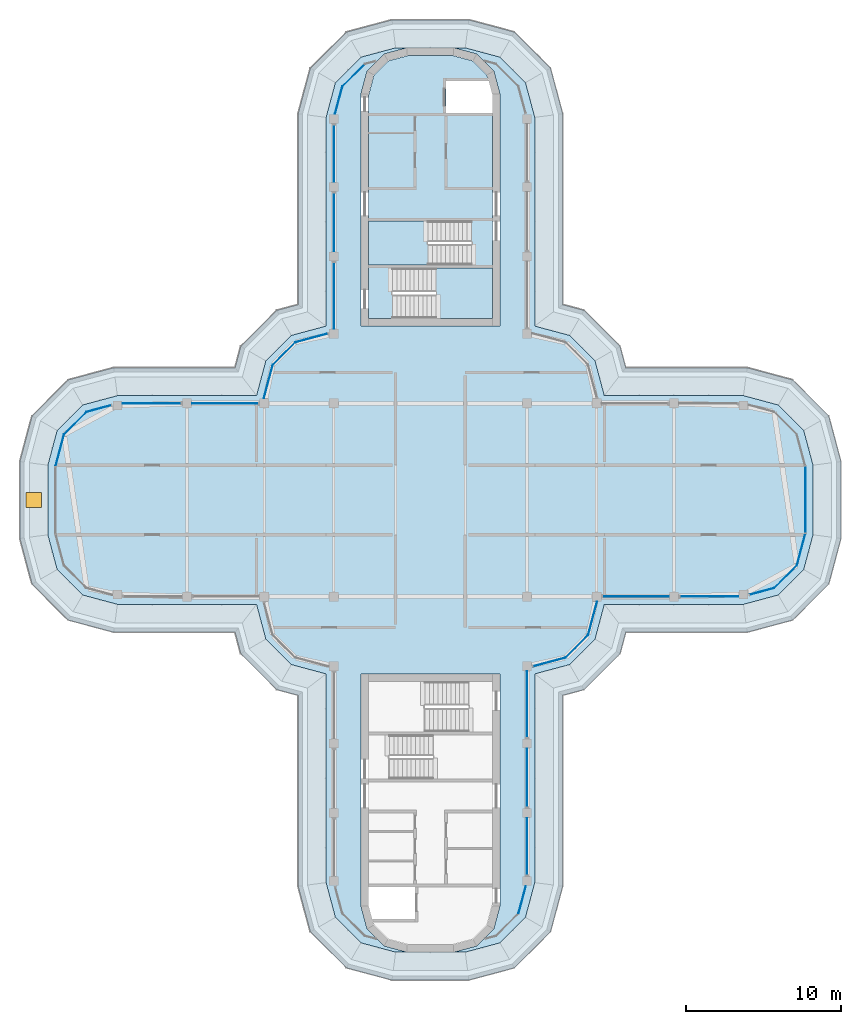
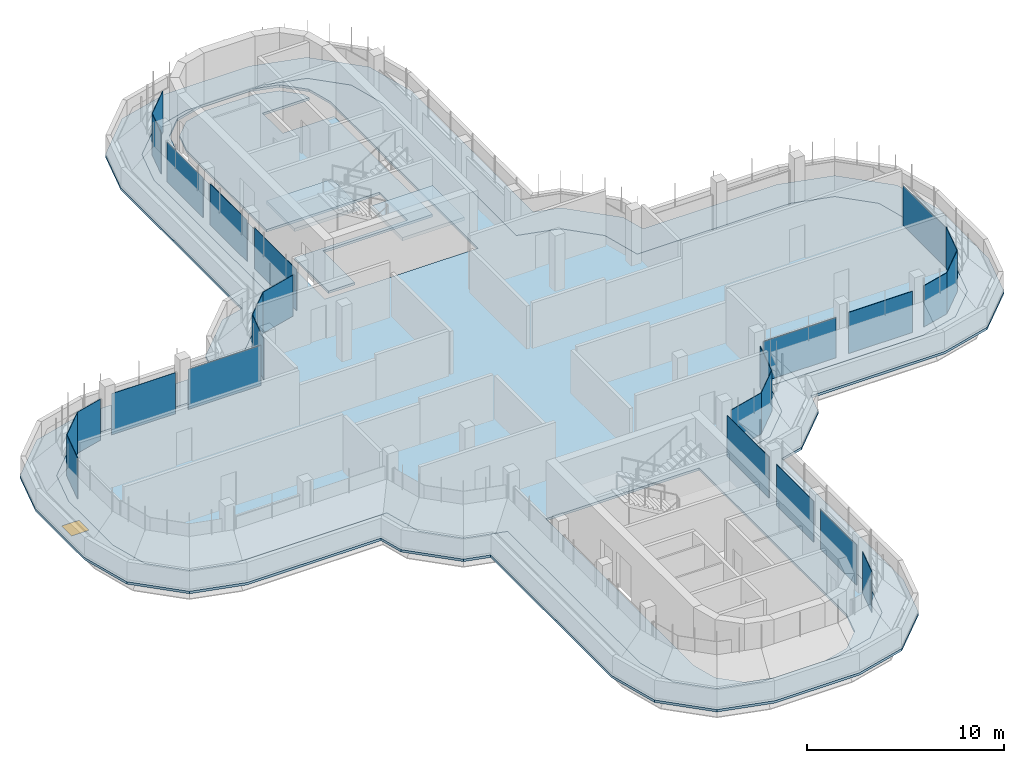
# One storey, part 10 of 19: 26 plates, 5 slabs, 1 window, 1 opening, 22 elements without a shape of their own.
"""IFC4 building model written with IfcOpenShell, lengths in metres."""

from ifc_helpers import new_model, si_unit, direction, frame, origin, origin_2d, place, context, subcontext, project, spatial, polyline, rectangle, outline, extrude, source, transform, mapped, material, layer, layer_set, type_object, element, fill, aggregate, save


model = new_model("IFC4")

# Units and contexts
model_context = context("Model", 3, precision=1e-05, world=origin(), true_north=direction((0.0, 1.0)))
body_context = subcontext(model_context, "Body", "Model", "MODEL_VIEW")
ifc_project = project(units=[si_unit("LENGTHUNIT", "METRE"), si_unit("AREAUNIT", "SQUARE_METRE"), si_unit("VOLUMEUNIT", "CUBIC_METRE"), si_unit("PLANEANGLEUNIT", "RADIAN"), si_unit("MASSUNIT", "GRAM", prefix="KILO")], contexts=[model_context])

# Site, building, storey
site_placement = place(None, origin())
site = spatial("IfcSite", under=ifc_project, at=site_placement, CompositionType="ELEMENT")
building_placement = place(site_placement, origin())
building = spatial("IfcBuilding", under=site, at=building_placement, Name="Zarbagh Exchange Tower", CompositionType="ELEMENT")
storey_placement = place(building_placement, frame((0.0, 0.0, 295.199951171875)))
storey = spatial("IfcBuildingStorey", under=building, at=storey_placement, Name="L72", CompositionType="ELEMENT", Elevation=295.199951171875)

# Slabs
ifc_material_1 = material(Name="Concrete C40/50", Category="concrete")
ifc_layer_1 = layer(ifc_material_1, 0.14990234375)
ifc_layer_set_1 = layer_set([ifc_layer_1], Name="Composite floor slab 150 C40/50")
slab_type_1 = type_object("IfcSlabType", Name="Composite floor slab 150 C40/50", PredefinedType="FLOOR", material=ifc_layer_set_1)
slab_1_placement = place(storey_placement, frame((0.0, 0.0, -0.14990234375)))
element("IfcSlab", 1, at=slab_1_placement, inside=storey, type_object=slab_type_1, Name="S5 composite floor slab", PredefinedType="FLOOR", context=body_context, shape_type="SweptSolid", body=[
    extrude(outline(polyline([(1.5, -29.25), (3.0, -28.84814453125), (4.09814453125, -27.75), (4.5, -26.25), (4.5, -11.25), (-4.5, -11.25), (-4.5, -26.25), (-4.09814453125, -27.75), (-3.0, -28.84814453125), (-1.5, -29.25), (-2.25, -29.25), (-4.5, -28.647216796875), (-6.147216796875, -27.0), (-6.75, -24.75), (-6.75, -11.25), (-9.0, -10.647216796875), (-10.647216796875, -9.0), (-11.25, -6.75), (-20.25, -6.75), (-22.5, -6.147216796875), (-24.147216796875, -4.5), (-24.75, -2.25), (-24.75, 2.25), (-24.147216796875, 4.5), (-22.5, 6.147216796875), (-20.25, 6.75), (-11.25, 6.75), (-10.647216796875, 9.0), (-9.0, 10.647216796875), (-6.75, 11.25), (-6.75, 24.75), (-6.147216796875, 27.0), (-4.5, 28.647216796875), (-2.25, 29.25), (-1.5, 29.25), (-3.0, 28.84814453125), (-4.09814453125, 27.75), (-4.5, 26.25), (-4.5, 11.25), (4.5, 11.25), (4.5, 26.25), (4.09814453125, 27.75), (3.0, 28.84814453125), (1.5, 29.25), (2.25, 29.25), (4.5, 28.647216796875), (6.147216796875, 27.0), (6.75, 24.75), (6.75, 11.25), (9.0, 10.647216796875), (10.647216796875, 9.0), (11.25, 6.75), (20.25, 6.75), (22.5, 6.147216796875), (24.147216796875, 4.5), (24.75, 2.25), (24.75, -2.25), (24.147216796875, -4.5), (22.5, -6.147216796875), (20.25, -6.75), (11.25, -6.75), (10.647216796875, -9.0), (9.0, -10.647216796875), (6.75, -11.25), (6.75, -24.75), (6.147216796875, -27.0), (4.5, -28.647216796875), (2.25, -29.25), (1.5, -29.25)])), origin(), (0.0, 0.0, 1.0), 0.14990234375),
])
ifc_layer_2 = layer(ifc_material_1, 0.14990234375)
ifc_layer_set_2 = layer_set([ifc_layer_2], Name="Core floor slab 150 C40/50")
slab_type_2 = type_object("IfcSlabType", Name="Core floor slab 150 C40/50", PredefinedType="FLOOR", material=ifc_layer_set_2)
slab_2_placement = place(storey_placement, frame((0.0, 0.0, -0.14990234375)))
element("IfcSlab", 2, at=slab_2_placement, inside=storey, type_object=slab_type_2, Name="S17 core N", PredefinedType="FLOOR", context=body_context, shape_type="SweptSolid", body=[
    extrude(outline(polyline([(-4.0, 11.75), (-4.0, 15.199951171875), (2.64990234375, 15.199951171875), (2.64990234375, 18.050048828125), (-4.0, 18.050048828125), (-4.0, 26.18408203125), (-3.64990234375, 27.4912109375), (-2.7412109375, 28.39990234375), (-1.43408203125, 28.75), (1.43408203125, 28.75), (2.7412109375, 28.39990234375), (3.64990234375, 27.4912109375), (3.857666015625, 26.715087890625), (3.754638671875, 27.10009765625), (1.0, 27.10009765625), (1.0, 25.050048828125), (4.0, 25.050048828125), (4.0, 15.0), (-2.449951171875, 15.0), (-2.449951171875, 11.75), (-4.0, 11.75)])), origin(), (0.0, 0.0, 1.0), 0.14990234375),
])

# Slab, opening, window
ifc_layer_3 = layer(ifc_material_1, 0.14990234375)
ifc_layer_set_3 = layer_set([ifc_layer_3], Name="Crown terrace roof slab 150 C40/50")
slab_type_3 = type_object("IfcSlabType", Name="Crown terrace roof slab 150 C40/50", PredefinedType="ROOF", material=ifc_layer_set_3)
slab_3_placement = place(storey_placement, frame((0.0, 0.0, -0.14990234375)))
slab_3 = element("IfcSlab", 3, at=slab_3_placement, inside=storey, type_object=slab_type_3, Name="S11 crown terrace roof slab", PredefinedType="ROOF", context=body_context, shape_type="SweptSolid", body=[
    extrude(outline(polyline([(-2.487060546875, -31.050048828125), (-5.431640625, -30.260986328125), (-7.760986328125, -27.931640625), (-8.550048828125, -24.987060546875), (-8.550048828125, -12.631103515625), (-9.931640625, -12.260986328125), (-12.260986328125, -9.931640625), (-12.631103515625, -8.550048828125), (-20.487060546875, -8.550048828125), (-23.431640625, -7.760986328125), (-25.760986328125, -5.431640625), (-26.550048828125, -2.487060546875), (-26.550048828125, 2.487060546875), (-25.760986328125, 5.431640625), (-23.431640625, 7.760986328125), (-20.487060546875, 8.550048828125), (-12.631103515625, 8.550048828125), (-12.260986328125, 9.931640625), (-9.931640625, 12.260986328125), (-8.550048828125, 12.631103515625), (-8.550048828125, 24.987060546875), (-7.760986328125, 27.931640625), (-5.431640625, 30.260986328125), (-2.487060546875, 31.050048828125), (2.487060546875, 31.050048828125), (5.431640625, 30.260986328125), (7.760986328125, 27.931640625), (8.550048828125, 24.987060546875), (8.550048828125, 12.631103515625), (9.931640625, 12.260986328125), (12.260986328125, 9.931640625), (12.631103515625, 8.550048828125), (20.487060546875, 8.550048828125), (23.431640625, 7.760986328125), (25.760986328125, 5.431640625), (26.550048828125, 2.487060546875), (26.550048828125, -2.487060546875), (25.760986328125, -5.431640625), (23.431640625, -7.760986328125), (20.487060546875, -8.550048828125), (12.631103515625, -8.550048828125), (12.260986328125, -9.931640625), (9.931640625, -12.260986328125), (8.550048828125, -12.631103515625), (8.550048828125, -24.987060546875), (7.760986328125, -27.931640625), (5.431640625, -30.260986328125), (2.487060546875, -31.050048828125), (-2.487060546875, -31.050048828125)]), holes=[polyline([(4.5, -28.647216796875), (6.147216796875, -27.0), (6.75, -24.75), (6.75, -11.25), (9.0, -10.647216796875), (10.647216796875, -9.0), (11.25, -6.75), (20.25, -6.75), (22.5, -6.147216796875), (24.147216796875, -4.5), (24.75, -2.25), (24.75, 2.25), (24.147216796875, 4.5), (22.5, 6.147216796875), (20.25, 6.75), (11.25, 6.75), (10.647216796875, 9.0), (9.0, 10.647216796875), (6.75, 11.25), (6.75, 24.75), (6.147216796875, 27.0), (4.5, 28.647216796875), (2.25, 29.25), (-2.25, 29.25), (-4.5, 28.647216796875), (-6.147216796875, 27.0), (-6.75, 24.75), (-6.75, 11.25), (-9.0, 10.647216796875), (-10.647216796875, 9.0), (-11.25, 6.75), (-20.25, 6.75), (-22.5, 6.147216796875), (-24.147216796875, 4.5), (-24.75, 2.25), (-24.75, -2.25), (-24.147216796875, -4.5), (-22.5, -6.147216796875), (-20.25, -6.75), (-11.25, -6.75), (-10.647216796875, -9.0), (-9.0, -10.647216796875), (-6.75, -11.25), (-6.75, -24.75), (-6.147216796875, -27.0), (-4.5, -28.647216796875), (-2.25, -29.25), (2.25, -29.25), (4.5, -28.647216796875)])]), origin(), (0.0, 0.0, 1.0), 0.14990234375),
])
opening_placement = place(slab_3_placement, frame((-25.64990234375, 0.0, 0.0)))
opening = element("IfcOpeningElement", 4, at=opening_placement, cuts=slab_3, Name="Opening RH01", PredefinedType="OPENING", context=body_context, shape_type="SweptSolid", body=[
    extrude(rectangle(XDim=1.0, YDim=1.0, at=origin_2d()), frame((0.0, 0.0, -0.010009765625)), (0.0, 0.0, 1.0), 0.169921875),
])
ifc_material_2 = material(Name="Aluminium", Category="aluminium")
window_type = type_object("IfcWindowType", Name="Roof access hatch, insulated aluminium", PartitioningType="SINGLE_PANEL", PredefinedType="SKYLIGHT", material=ifc_material_2)
window_placement = place(opening_placement, frame((0.0, 0.0, 0.099853515625)))
window = element("IfcWindow", 5, at=window_placement, inside=storey, type_object=window_type, Name="RH01 roof access hatch", OverallHeight=1.0, OverallWidth=1.0, PartitioningType="SINGLE_PANEL", PredefinedType="SKYLIGHT", context=body_context, shape_type="SweptSolid", body=[
    extrude(rectangle(XDim=1.0, YDim=1.0, at=origin_2d()), origin(), (0.0, 0.0, 1.0), 0.050048828125),
])
fill(opening, window)

# Stair, slab
stair_type = type_object("IfcStairType", Name="Exit stair two-flight half-turn", PredefinedType="HALF_TURN_STAIR", material=ifc_material_1)
stair_1_placement = place(storey_placement, origin())
stair_1 = element("IfcStair", 6, at=stair_1_placement, inside=storey, type_object=stair_type, Name="exit stair ST1", PredefinedType="HALF_TURN_STAIR")
ifc_layer_4 = layer(ifc_material_1, 0.199951171875)
ifc_layer_set_4 = layer_set([ifc_layer_4], Name="Stair landing 200 mm")
slab_type_4 = type_object("IfcSlabType", Name="Stair landing 200 mm", PredefinedType="LANDING", material=ifc_layer_set_4)
slab_4_placement = place(storey_placement, frame((0.0, 0.0, 1.60009765625)))
slab_4 = element("IfcSlab", 7, at=slab_4_placement, type_object=slab_type_4, Name="ST1 landing 1", PredefinedType="LANDING", context=body_context, shape_type="SweptSolid", body=[
    extrude(outline(polyline([(-0.14990234375, 18.050048828125), (-4.0, 18.050048828125), (-4.0, 15.199951171875), (-0.14990234375, 15.199951171875), (-0.14990234375, 18.050048828125)])), origin(), (0.0, 0.0, 1.0), 0.199951171875),
])
aggregate(stair_1, [slab_4])

stair_2_placement = place(storey_placement, origin())
stair_2 = element("IfcStair", 8, at=stair_2_placement, inside=storey, type_object=stair_type, Name="exit stair ST2", PredefinedType="HALF_TURN_STAIR")
slab_5_placement = place(storey_placement, frame((0.0, 0.0, 1.60009765625)))
slab_5 = element("IfcSlab", 9, at=slab_5_placement, type_object=slab_type_4, Name="ST2 landing 1", PredefinedType="LANDING", context=body_context, shape_type="SweptSolid", body=[
    extrude(outline(polyline([(0.35009765625, 11.75), (4.0, 11.75), (4.0, 15.0), (0.35009765625, 15.0), (0.35009765625, 11.75)])), origin(), (0.0, 0.0, 1.0), 0.199951171875),
])
aggregate(stair_2, [slab_5])

# Curtain wall, plate
ifc_material_3 = material(Name="Anodised aluminium frame and glazing", Category="aluminium")
curtain_wall_type = type_object("IfcCurtainWallType", Name="CWF Crown tier glazing", PredefinedType="NOTDEFINED", material=ifc_material_3)
curtain_wall_1_placement = place(storey_placement, origin())
curtain_wall_1 = element("IfcCurtainWall", 10, at=curtain_wall_1_placement, inside=storey, type_object=curtain_wall_type, Name="CWF06 curtain wall", PredefinedType="NOTDEFINED")
ifc_material_4 = material(Name="Low-e double glazed unit, 6+12+6 mm")
ifc_layer_5 = layer(ifc_material_4, 0.028076171875)
ifc_layer_set_5 = layer_set([ifc_layer_5], Name="PAF Glazing panel, Low-e double glazed unit, 6+12+6 mm")
plate_type = type_object("IfcPlateType", Name="PAF Glazing panel, Low-e double glazed unit, 6+12+6 mm", PredefinedType="CURTAIN_PANEL", material=ifc_layer_set_5)
shared_shape_1 = source(origin(), body_context, "Body", "SweptSolid", [
    extrude(outline(polyline([(0.0, -0.013916015625), (2.061279296875, -0.013916015625), (2.061279296875, 0.013916015625), (0.0, 0.013916015625), (0.0, -0.013916015625)])), origin(), (0.0, 0.0, 1.0), 2.550048828125),
])
placement = place(storey_placement, origin())
plate_1 = element("IfcPlate", 11, at=placement, type_object=plate_type, Name="CWF06 glazing panel 1.1", PredefinedType="CURTAIN_PANEL", context=body_context, shape_type="MappedRepresentation", body=[
    mapped(shared_shape_1, transform((8.7412109375, -10.19873046875, 0.0), x_axis=(0.707106781187, 0.707106781187, 0.0), y_axis=(-0.707106781187, 0.707106781187, 0.0), z_axis=(0.0, 0.0, 1.0))),
])
aggregate(curtain_wall_1, [plate_1])

curtain_wall_2_placement = place(storey_placement, origin())
curtain_wall_2 = element("IfcCurtainWall", 12, at=curtain_wall_2_placement, inside=storey, type_object=curtain_wall_type, Name="CWF10 curtain wall", PredefinedType="NOTDEFINED")
plate_2 = element("IfcPlate", 13, at=placement, type_object=plate_type, Name="CWF10 glazing panel 1.1", PredefinedType="CURTAIN_PANEL", context=body_context, shape_type="MappedRepresentation", body=[
    mapped(shared_shape_1, transform((22.2412109375, -5.69873046875, 0.0), x_axis=(0.707106781187, 0.707106781187, 0.0), y_axis=(-0.707106781187, 0.707106781187, 0.0), z_axis=(0.0, 0.0, 1.0))),
])
aggregate(curtain_wall_2, [plate_2])

curtain_wall_3_placement = place(storey_placement, origin())
curtain_wall_3 = element("IfcCurtainWall", 14, at=curtain_wall_3_placement, inside=storey, type_object=curtain_wall_type, Name="CWF25 curtain wall", PredefinedType="NOTDEFINED")
plate_3 = element("IfcPlate", 15, at=placement, type_object=plate_type, Name="CWF25 glazing panel 1.1", PredefinedType="CURTAIN_PANEL", context=body_context, shape_type="MappedRepresentation", body=[
    mapped(shared_shape_1, transform((-4.2412109375, 28.19873046875, 0.0), x_axis=(-0.707106781187, -0.707106781187, 0.0), y_axis=(0.707106781187, -0.707106781187, 0.0), z_axis=(0.0, 0.0, 1.0))),
])
aggregate(curtain_wall_3, [plate_3])

curtain_wall_4_placement = place(storey_placement, origin())
curtain_wall_4 = element("IfcCurtainWall", 16, at=curtain_wall_4_placement, inside=storey, type_object=curtain_wall_type, Name="CWF29 curtain wall", PredefinedType="NOTDEFINED")
plate_4 = element("IfcPlate", 17, at=placement, type_object=plate_type, Name="CWF29 glazing panel 1.1", PredefinedType="CURTAIN_PANEL", context=body_context, shape_type="MappedRepresentation", body=[
    mapped(shared_shape_1, transform((-8.7412109375, 10.19873046875, 0.0), x_axis=(-0.707106781187, -0.707106781187, 0.0), y_axis=(0.707106781187, -0.707106781187, 0.0), z_axis=(0.0, 0.0, 1.0))),
])
aggregate(curtain_wall_4, [plate_4])

curtain_wall_5_placement = place(storey_placement, origin())
curtain_wall_5 = element("IfcCurtainWall", 18, at=curtain_wall_5_placement, inside=storey, type_object=curtain_wall_type, Name="CWF33 curtain wall", PredefinedType="NOTDEFINED")
plate_5 = element("IfcPlate", 19, at=placement, type_object=plate_type, Name="CWF33 glazing panel 1.1", PredefinedType="CURTAIN_PANEL", context=body_context, shape_type="MappedRepresentation", body=[
    mapped(shared_shape_1, transform((-22.2412109375, 5.69873046875, 0.0), x_axis=(-0.707106781187, -0.707106781187, 0.0), y_axis=(0.707106781187, -0.707106781187, 0.0), z_axis=(0.0, 0.0, 1.0))),
])
aggregate(curtain_wall_5, [plate_5])

curtain_wall_6_placement = place(storey_placement, origin())
curtain_wall_6 = element("IfcCurtainWall", 20, at=curtain_wall_6_placement, inside=storey, type_object=curtain_wall_type, Name="CWF03 curtain wall", PredefinedType="NOTDEFINED")
shared_shape_2 = source(origin(), body_context, "Body", "SweptSolid", [
    extrude(outline(polyline([(0.0, -0.013916015625), (1.81298828125, -0.013916015625), (1.81298828125, 0.013916015625), (0.0, 0.013916015625), (0.0, -0.013916015625)])), origin(), (0.0, 0.0, 1.0), 2.550048828125),
])
plate_6 = element("IfcPlate", 21, at=placement, type_object=plate_type, Name="CWF03 glazing panel 1.1", PredefinedType="CURTAIN_PANEL", context=body_context, shape_type="MappedRepresentation", body=[
    mapped(shared_shape_2, transform((5.69873046875, -26.7412109375, 0.0), x_axis=(0.258824779902, 0.965924289636, 0.0), y_axis=(-0.965924289636, 0.258824779902, 0.0), z_axis=(0.0, 0.0, 1.0))),
])
aggregate(curtain_wall_6, [plate_6])

curtain_wall_7_placement = place(storey_placement, origin())
curtain_wall_7 = element("IfcCurtainWall", 22, at=curtain_wall_7_placement, inside=storey, type_object=curtain_wall_type, Name="CWF26 curtain wall", PredefinedType="NOTDEFINED")
plate_7 = element("IfcPlate", 23, at=placement, type_object=plate_type, Name="CWF26 glazing panel 1.1", PredefinedType="CURTAIN_PANEL", context=body_context, shape_type="MappedRepresentation", body=[
    mapped(shared_shape_2, transform((-5.69873046875, 26.7412109375, 0.0), x_axis=(-0.258824779902, -0.965924289636, 0.0), y_axis=(0.965924289636, -0.258824779902, 0.0), z_axis=(0.0, 0.0, 1.0))),
])
aggregate(curtain_wall_7, [plate_7])

curtain_wall_8_placement = place(storey_placement, origin())
curtain_wall_8 = element("IfcCurtainWall", 24, at=curtain_wall_8_placement, inside=storey, type_object=curtain_wall_type, Name="CWF04 curtain wall", PredefinedType="NOTDEFINED")
shared_shape_3 = source(origin(), body_context, "Body", "SweptSolid", [
    extrude(outline(polyline([(0.0, -0.013916015625), (3.659912109375, -0.013916015625), (3.659912109375, 0.013916015625), (0.0, 0.013916015625), (0.0, -0.013916015625)])), origin(), (0.0, 0.0, 1.0), 2.489990234375),
])
plate_8 = element("IfcPlate", 25, at=placement, type_object=plate_type, Name="CWF04 glazing panel 1.1", PredefinedType="CURTAIN_PANEL", context=body_context, shape_type="MappedRepresentation", body=[
    mapped(shared_shape_3, transform((6.25, -24.25, 0.0), x_axis=(0.0, 1.0, 0.0), y_axis=(-1.0, 0.0, 0.0), z_axis=(0.0, 0.0, 1.0))),
])

curtain_wall_9_placement = place(storey_placement, origin())
curtain_wall_9 = element("IfcCurtainWall", 26, at=curtain_wall_9_placement, inside=storey, type_object=curtain_wall_type, Name="CWF27 curtain wall", PredefinedType="NOTDEFINED")
plate_9 = element("IfcPlate", 27, at=placement, type_object=plate_type, Name="CWF27 glazing panel 1.1", PredefinedType="CURTAIN_PANEL", context=body_context, shape_type="MappedRepresentation", body=[
    mapped(shared_shape_3, transform((-6.25, 24.25, 0.0), x_axis=(0.0, -1.0, 0.0), y_axis=(1.0, 0.0, 0.0), z_axis=(0.0, 0.0, 1.0))),
])

# Plate
shared_shape_4 = source(origin(), body_context, "Body", "SweptSolid", [
    extrude(outline(polyline([(0.0, -0.013916015625), (3.760009765625, -0.013916015625), (3.760009765625, 0.013916015625), (0.0, 0.013916015625), (0.0, -0.013916015625)])), origin(), (0.0, 0.0, 1.0), 2.550048828125),
])
plate_10 = element("IfcPlate", 28, at=placement, type_object=plate_type, Name="CWF04 glazing panel 2.1", PredefinedType="CURTAIN_PANEL", context=body_context, shape_type="MappedRepresentation", body=[
    mapped(shared_shape_4, transform((6.25, -19.849853515625, 0.0), x_axis=(0.0, 1.0, 0.0), y_axis=(-1.0, 0.0, 0.0), z_axis=(0.0, 0.0, 1.0))),
])

# Curtain wall, plate
curtain_wall_10_placement = place(storey_placement, origin())
curtain_wall_10 = element("IfcCurtainWall", 29, at=curtain_wall_10_placement, inside=storey, type_object=curtain_wall_type, Name="CWF08 curtain wall", PredefinedType="NOTDEFINED")
plate_11 = element("IfcPlate", 30, at=placement, type_object=plate_type, Name="CWF08 glazing panel 2.1", PredefinedType="CURTAIN_PANEL", context=body_context, shape_type="MappedRepresentation", body=[
    mapped(shared_shape_4, transform((16.150146484375, -6.25, 0.0), x_axis=(1.0, 0.0, 0.0), y_axis=(0.0, 1.0, 0.0), z_axis=(0.0, 0.0, 1.0))),
])

# Plate
plate_12 = element("IfcPlate", 31, at=placement, type_object=plate_type, Name="CWF27 glazing panel 2.1", PredefinedType="CURTAIN_PANEL", context=body_context, shape_type="MappedRepresentation", body=[
    mapped(shared_shape_4, transform((-6.25, 19.849853515625, 0.0), x_axis=(0.0, -1.0, 0.0), y_axis=(1.0, 0.0, 0.0), z_axis=(0.0, 0.0, 1.0))),
])

# Curtain wall, plate
curtain_wall_11_placement = place(storey_placement, origin())
curtain_wall_11 = element("IfcCurtainWall", 32, at=curtain_wall_11_placement, inside=storey, type_object=curtain_wall_type, Name="CWF31 curtain wall", PredefinedType="NOTDEFINED")
plate_13 = element("IfcPlate", 33, at=placement, type_object=plate_type, Name="CWF31 glazing panel 2.1", PredefinedType="CURTAIN_PANEL", context=body_context, shape_type="MappedRepresentation", body=[
    mapped(shared_shape_4, transform((-16.150146484375, 6.25, 0.0), x_axis=(-1.0, 0.0, 0.0), y_axis=(0.0, -1.0, 0.0), z_axis=(0.0, 0.0, 1.0))),
])

# Plate
shared_shape_5 = source(origin(), body_context, "Body", "SweptSolid", [
    extrude(outline(polyline([(0.0, -0.013916015625), (4.260009765625, -0.013916015625), (4.260009765625, 0.013916015625), (0.0, 0.013916015625), (0.0, -0.013916015625)])), origin(), (0.0, 0.0, 1.0), 2.550048828125),
])
plate_14 = element("IfcPlate", 34, at=placement, type_object=plate_type, Name="CWF04 glazing panel 3.1", PredefinedType="CURTAIN_PANEL", context=body_context, shape_type="MappedRepresentation", body=[
    mapped(shared_shape_5, transform((6.25, -15.349853515625, 0.0), x_axis=(0.0, 1.0, 0.0), y_axis=(-1.0, 0.0, 0.0), z_axis=(0.0, 0.0, 1.0))),
])

aggregate(curtain_wall_8, [plate_8, plate_10, plate_14])

plate_15 = element("IfcPlate", 35, at=placement, type_object=plate_type, Name="CWF27 glazing panel 3.1", PredefinedType="CURTAIN_PANEL", context=body_context, shape_type="MappedRepresentation", body=[
    mapped(shared_shape_5, transform((-6.25, 15.349853515625, 0.0), x_axis=(0.0, -1.0, 0.0), y_axis=(1.0, 0.0, 0.0), z_axis=(0.0, 0.0, 1.0))),
])

aggregate(curtain_wall_9, [plate_9, plate_12, plate_15])

# Curtain wall, plate
curtain_wall_12_placement = place(storey_placement, origin())
curtain_wall_12 = element("IfcCurtainWall", 36, at=curtain_wall_12_placement, inside=storey, type_object=curtain_wall_type, Name="CWF05 curtain wall", PredefinedType="NOTDEFINED")
shared_shape_6 = source(origin(), body_context, "Body", "SweptSolid", [
    extrude(outline(polyline([(0.0, -0.013916015625), (2.1669921875, -0.013916015625), (2.1669921875, 0.013916015625), (0.0, 0.013916015625), (0.0, -0.013916015625)])), origin(), (0.0, 0.0, 1.0), 2.550048828125),
])
plate_16 = element("IfcPlate", 37, at=placement, type_object=plate_type, Name="CWF05 glazing panel 1.1", PredefinedType="CURTAIN_PANEL", context=body_context, shape_type="MappedRepresentation", body=[
    mapped(shared_shape_6, transform((6.64794921875, -10.759765625, 0.0), x_axis=(0.965924289636, 0.258824779902, 0.0), y_axis=(-0.258824779902, 0.965924289636, 0.0), z_axis=(0.0, 0.0, 1.0))),
])
aggregate(curtain_wall_12, [plate_16])

curtain_wall_13_placement = place(storey_placement, origin())
curtain_wall_13 = element("IfcCurtainWall", 38, at=curtain_wall_13_placement, inside=storey, type_object=curtain_wall_type, Name="CWF28 curtain wall", PredefinedType="NOTDEFINED")
plate_17 = element("IfcPlate", 39, at=placement, type_object=plate_type, Name="CWF28 glazing panel 1.1", PredefinedType="CURTAIN_PANEL", context=body_context, shape_type="MappedRepresentation", body=[
    mapped(shared_shape_6, transform((-6.64794921875, 10.759765625, 0.0), x_axis=(-0.965924289636, -0.258824779902, 0.0), y_axis=(0.258824779902, -0.965924289636, 0.0), z_axis=(0.0, 0.0, 1.0))),
])
aggregate(curtain_wall_13, [plate_17])

curtain_wall_14_placement = place(storey_placement, origin())
curtain_wall_14 = element("IfcCurtainWall", 40, at=curtain_wall_14_placement, inside=storey, type_object=curtain_wall_type, Name="CWF07 curtain wall", PredefinedType="NOTDEFINED")
shared_shape_7 = source(origin(), body_context, "Body", "SweptSolid", [
    extrude(outline(polyline([(0.0, -0.013916015625), (2.22705078125, -0.013916015625), (2.22705078125, 0.013916015625), (0.0, 0.013916015625), (0.0, -0.013916015625)])), origin(), (0.0, 0.0, 1.0), 2.550048828125),
])
plate_18 = element("IfcPlate", 41, at=placement, type_object=plate_type, Name="CWF07 glazing panel 1.1", PredefinedType="CURTAIN_PANEL", context=body_context, shape_type="MappedRepresentation", body=[
    mapped(shared_shape_7, transform((10.19873046875, -8.7412109375, 0.0), x_axis=(0.258824779902, 0.965924289636, 0.0), y_axis=(-0.965924289636, 0.258824779902, 0.0), z_axis=(0.0, 0.0, 1.0))),
])
aggregate(curtain_wall_14, [plate_18])

curtain_wall_15_placement = place(storey_placement, origin())
curtain_wall_15 = element("IfcCurtainWall", 42, at=curtain_wall_15_placement, inside=storey, type_object=curtain_wall_type, Name="CWF30 curtain wall", PredefinedType="NOTDEFINED")
plate_19 = element("IfcPlate", 43, at=placement, type_object=plate_type, Name="CWF30 glazing panel 1.1", PredefinedType="CURTAIN_PANEL", context=body_context, shape_type="MappedRepresentation", body=[
    mapped(shared_shape_7, transform((-10.19873046875, 8.7412109375, 0.0), x_axis=(-0.258824779902, -0.965924289636, 0.0), y_axis=(0.965924289636, -0.258824779902, 0.0), z_axis=(0.0, 0.0, 1.0))),
])
aggregate(curtain_wall_15, [plate_19])

# Plate
shared_shape_8 = source(origin(), body_context, "Body", "SweptSolid", [
    extrude(outline(polyline([(0.0, -0.013916015625), (4.260009765625, -0.013916015625), (4.260009765625, 0.013916015625), (0.0, 0.013916015625), (0.0, -0.013916015625)])), origin(), (0.0, 0.0, 1.0), 2.489990234375),
])
plate_20 = element("IfcPlate", 44, at=placement, type_object=plate_type, Name="CWF08 glazing panel 1.1", PredefinedType="CURTAIN_PANEL", context=body_context, shape_type="MappedRepresentation", body=[
    mapped(shared_shape_8, transform((11.150146484375, -6.25, 0.0), x_axis=(1.0, 0.0, 0.0), y_axis=(0.0, 1.0, 0.0), z_axis=(0.0, 0.0, 1.0))),
])

aggregate(curtain_wall_10, [plate_20, plate_11])

plate_21 = element("IfcPlate", 45, at=placement, type_object=plate_type, Name="CWF31 glazing panel 1.1", PredefinedType="CURTAIN_PANEL", context=body_context, shape_type="MappedRepresentation", body=[
    mapped(shared_shape_8, transform((-11.150146484375, 6.25, 0.0), x_axis=(-1.0, 0.0, 0.0), y_axis=(0.0, -1.0, 0.0), z_axis=(0.0, 0.0, 1.0))),
])

aggregate(curtain_wall_11, [plate_21, plate_13])

# Curtain wall, plate
curtain_wall_16_placement = place(storey_placement, origin())
curtain_wall_16 = element("IfcCurtainWall", 46, at=curtain_wall_16_placement, inside=storey, type_object=curtain_wall_type, Name="CWF09 curtain wall", PredefinedType="NOTDEFINED")
shared_shape_9 = source(origin(), body_context, "Body", "SweptSolid", [
    extrude(outline(polyline([(0.0, -0.013916015625), (1.6494140625, -0.013916015625), (1.6494140625, 0.013916015625), (0.0, 0.013916015625), (0.0, -0.013916015625)])), origin(), (0.0, 0.0, 1.0), 2.550048828125),
])
plate_22 = element("IfcPlate", 47, at=placement, type_object=plate_type, Name="CWF09 glazing panel 1.1", PredefinedType="CURTAIN_PANEL", context=body_context, shape_type="MappedRepresentation", body=[
    mapped(shared_shape_9, transform((20.64794921875, -6.125732421875, 0.0), x_axis=(0.965924289636, 0.258824779902, 0.0), y_axis=(-0.258824779902, 0.965924289636, 0.0), z_axis=(0.0, 0.0, 1.0))),
])
aggregate(curtain_wall_16, [plate_22])

curtain_wall_17_placement = place(storey_placement, origin())
curtain_wall_17 = element("IfcCurtainWall", 48, at=curtain_wall_17_placement, inside=storey, type_object=curtain_wall_type, Name="CWF32 curtain wall", PredefinedType="NOTDEFINED")
plate_23 = element("IfcPlate", 49, at=placement, type_object=plate_type, Name="CWF32 glazing panel 1.1", PredefinedType="CURTAIN_PANEL", context=body_context, shape_type="MappedRepresentation", body=[
    mapped(shared_shape_9, transform((-20.64794921875, 6.125732421875, 0.0), x_axis=(-0.965924289636, -0.258824779902, 0.0), y_axis=(0.258824779902, -0.965924289636, 0.0), z_axis=(0.0, 0.0, 1.0))),
])
aggregate(curtain_wall_17, [plate_23])

curtain_wall_18_placement = place(storey_placement, origin())
curtain_wall_18 = element("IfcCurtainWall", 50, at=curtain_wall_18_placement, inside=storey, type_object=curtain_wall_type, Name="CWF11 curtain wall", PredefinedType="NOTDEFINED")
shared_shape_10 = source(origin(), body_context, "Body", "SweptSolid", [
    extrude(outline(polyline([(0.0, -0.013916015625), (2.129638671875, -0.013916015625), (2.129638671875, 0.013916015625), (0.0, 0.013916015625), (0.0, -0.013916015625)])), origin(), (0.0, 0.0, 1.0), 2.550048828125),
])
plate_24 = element("IfcPlate", 51, at=placement, type_object=plate_type, Name="CWF11 glazing panel 1.1", PredefinedType="CURTAIN_PANEL", context=body_context, shape_type="MappedRepresentation", body=[
    mapped(shared_shape_10, transform((23.69873046875, -4.2412109375, 0.0), x_axis=(0.258824779902, 0.965924289636, 0.0), y_axis=(-0.965924289636, 0.258824779902, 0.0), z_axis=(0.0, 0.0, 1.0))),
])
aggregate(curtain_wall_18, [plate_24])

curtain_wall_19_placement = place(storey_placement, origin())
curtain_wall_19 = element("IfcCurtainWall", 52, at=curtain_wall_19_placement, inside=storey, type_object=curtain_wall_type, Name="CWF34 curtain wall", PredefinedType="NOTDEFINED")
plate_25 = element("IfcPlate", 53, at=placement, type_object=plate_type, Name="CWF34 glazing panel 1.1", PredefinedType="CURTAIN_PANEL", context=body_context, shape_type="MappedRepresentation", body=[
    mapped(shared_shape_10, transform((-23.69873046875, 4.2412109375, 0.0), x_axis=(-0.258824779902, -0.965924289636, 0.0), y_axis=(0.965924289636, -0.258824779902, 0.0), z_axis=(0.0, 0.0, 1.0))),
])
aggregate(curtain_wall_19, [plate_25])

curtain_wall_20_placement = place(storey_placement, origin())
curtain_wall_20 = element("IfcCurtainWall", 54, at=curtain_wall_20_placement, inside=storey, type_object=curtain_wall_type, Name="CWF12 curtain wall", PredefinedType="NOTDEFINED")
shared_shape_11 = source(origin(), body_context, "Body", "SweptSolid", [
    extrude(outline(polyline([(0.0, -0.013916015625), (4.308349609375, -0.013916015625), (4.308349609375, 0.013916015625), (0.0, 0.013916015625), (0.0, -0.013916015625)])), origin(), (0.0, 0.0, 1.0), 2.489990234375),
])
plate_26 = element("IfcPlate", 55, at=placement, type_object=plate_type, Name="CWF12 glazing panel 1.1", PredefinedType="CURTAIN_PANEL", context=body_context, shape_type="MappedRepresentation", body=[
    mapped(shared_shape_11, transform((24.25, -2.124267578125, 0.0), x_axis=(0.0, 1.0, 0.0), y_axis=(-1.0, 0.0, 0.0), z_axis=(0.0, 0.0, 1.0))),
])
aggregate(curtain_wall_20, [plate_26])

save(model, "model.ifc")
